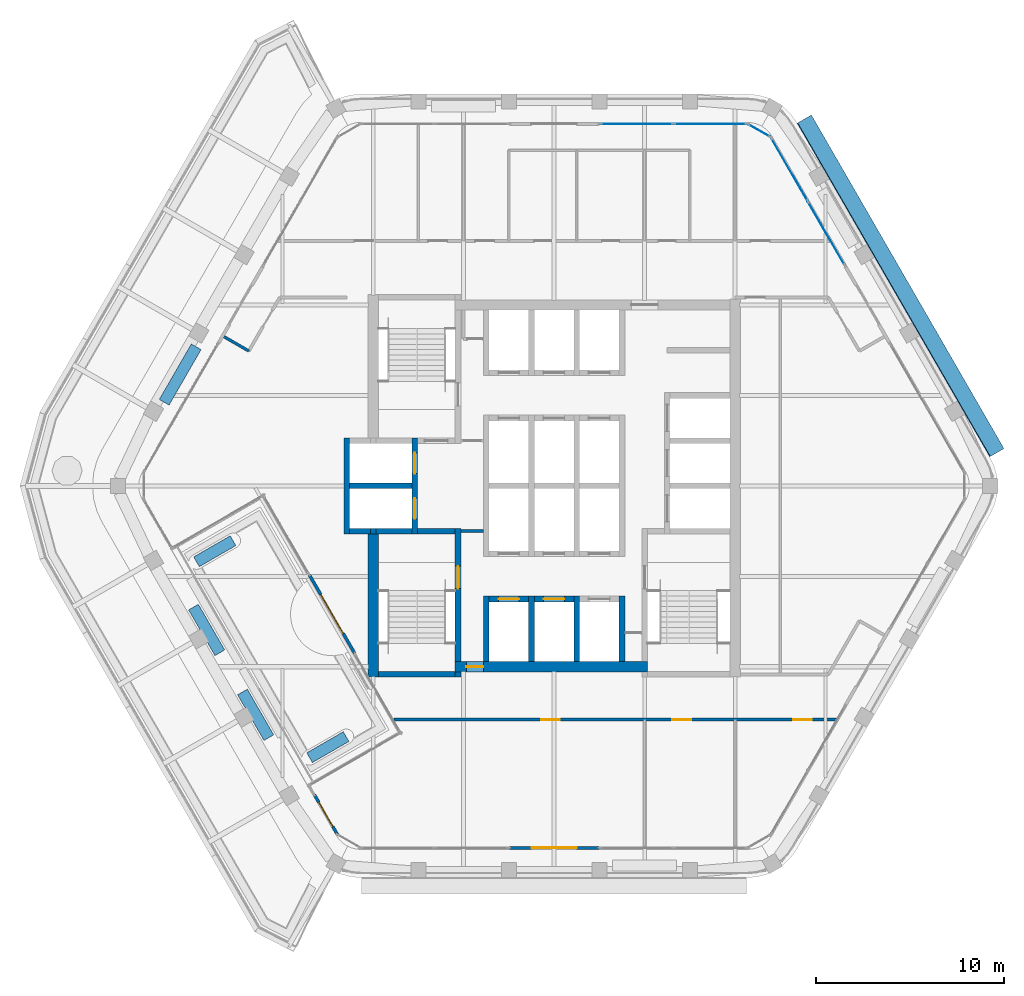
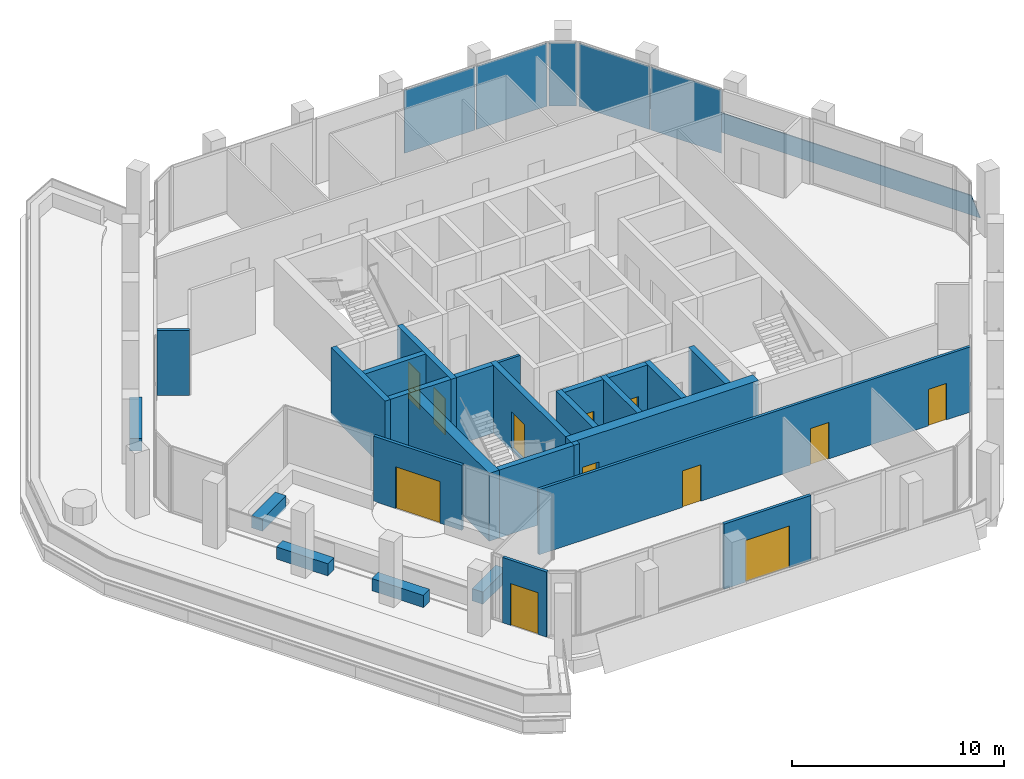
# One storey, part 9 of 15: 29 walls, 12 doors, 6 plates, 12 openings, 3 elements without a shape of their own.
"""IFC4 building model written with IfcOpenShell, lengths in metres."""

import ifcopenshell
import ifcopenshell.guid

model = None  # the IFC model being written
_history = None  # IfcOwnerHistory: only IFC2X3 demands one
_inside = {}  # id of a spatial element -> (the spatial element, [elements in it])
_under = {}  # id of a project, library or spatial element -> (it, [spatial elements below it])
_declared = {}  # id of a project -> (the project, [libraries it declares])
_typed = {}  # id of a type object -> (the type object, [elements of that type])
_made_of = {}  # id of a material, layer set ... -> (it, [elements and type objects made of it])


def new_model(schema):
    """Start an empty IFC model of exactly this schema.

    Asked for "IFC4X3", IfcOpenShell would pick the latest addendum, in which some entities
    have other attributes; the version numbers below select the first issue.
    IFC2X3 requires an IfcOwnerHistory on every rooted entity: one is made here for all.
    """
    global model, _history
    if schema == "IFC4X3":
        model = ifcopenshell.file(schema_version=(4, 3, 0, 0))
    else:
        model = ifcopenshell.file(schema=schema)
    _inside.clear()
    _under.clear()
    _declared.clear()
    _typed.clear()
    _made_of.clear()
    _history = None
    if model.schema == "IFC2X3":
        org = make("IfcOrganization", Name="unknown")
        user = make(
            "IfcPersonAndOrganization",
            ThePerson=make("IfcPerson", FamilyName="unknown"),
            TheOrganization=org,
        )
        app = make(
            "IfcApplication",
            ApplicationDeveloper=org,
            Version="unknown",
            ApplicationFullName="unknown",
            ApplicationIdentifier="unknown",
        )
        _history = make(
            "IfcOwnerHistory",
            OwningUser=user,
            OwningApplication=app,
            ChangeAction="ADDED",
            CreationDate=0,
        )
    return model


def make(cls, **values):
    """One entity of the class cls with the attributes given. An attribute that is None is left unset."""
    return model.create_entity(
        cls, **{name: value for name, value in values.items() if value is not None}
    )


def rooted(cls, **values):
    """An entity with a GlobalId (a new one), such as an element, a storey or a relation."""
    return make(cls, GlobalId=ifcopenshell.guid.new(), OwnerHistory=_history, **values)


def si_unit(unit_type, name, prefix=None):
    """IfcSIUnit, for example si_unit("LENGTHUNIT", "METRE", prefix="MILLI")."""
    return make("IfcSIUnit", UnitType=unit_type, Prefix=prefix, Name=name)


def assignment(units):
    """IfcUnitAssignment: the units of a project."""
    return None if units is None else make("IfcUnitAssignment", Units=units)


def point(xyz):
    """IfcCartesianPoint."""
    return None if xyz is None else make("IfcCartesianPoint", Coordinates=xyz)


def direction(xyz):
    """IfcDirection."""
    return None if xyz is None else make("IfcDirection", DirectionRatios=xyz)


def frame(location, z_axis=None, x_axis=None):
    """IfcAxis2Placement3D, a coordinate frame: its origin and axes. An axis left out is left unset."""
    return make(
        "IfcAxis2Placement3D",
        Location=point(location),
        Axis=direction(z_axis),
        RefDirection=direction(x_axis),
    )


def frame_2d(location, x_axis=None):
    """IfcAxis2Placement2D, a coordinate frame in the plane: its origin and x axis."""
    return make(
        "IfcAxis2Placement2D", Location=point(location), RefDirection=direction(x_axis)
    )


def origin():
    """The frame at (0, 0, 0) with its axes left unset."""
    return frame((0.0, 0.0, 0.0))


def origin_2d():
    """The frame at (0, 0) in the plane with its x axis left unset."""
    return frame_2d((0.0, 0.0))


def place(relative_to, where):
    """IfcLocalPlacement: puts the frame where relative to a parent placement (None: the world)."""
    return make(
        "IfcLocalPlacement", PlacementRelTo=relative_to, RelativePlacement=where
    )


def context(
    kind, dimensions, precision=None, world=None, true_north=None, identifier=None
):
    """IfcGeometricRepresentationContext, for example the 3D "Model" context."""
    return make(
        "IfcGeometricRepresentationContext",
        ContextIdentifier=identifier,
        ContextType=kind,
        CoordinateSpaceDimension=dimensions,
        Precision=precision,
        WorldCoordinateSystem=world,
        TrueNorth=true_north,
    )


def subcontext(parent, identifier, kind, view, scale=None):
    """IfcGeometricRepresentationSubContext, for example "Body" below "Model"."""
    return make(
        "IfcGeometricRepresentationSubContext",
        ContextIdentifier=identifier,
        ContextType=kind,
        ParentContext=parent,
        TargetScale=scale,
        TargetView=view,
    )


def project(units=None, contexts=None):
    """IfcProject with its units and contexts."""
    return rooted(
        "IfcProject",
        Name="project",
        RepresentationContexts=contexts,
        UnitsInContext=assignment(units),
    )


def spatial(cls, under=None, at=None, **own):
    """A site, building, storey or space (cls), placed at a placement, below another one or the project."""
    s = rooted(cls, ObjectPlacement=at, **own)
    if under is not None:
        _under.setdefault(under.id(), (under, []))[1].append(s)
    return s


def polyline(points):
    """IfcPolyline through the points."""
    return make("IfcPolyline", Points=[point(p) for p in points])


def profile(cls, at=None, kind="AREA", **sizes):
    """A parametric profile (cls). Its sizes go by their IFC names, for example OverallWidth=200.0."""
    return make(cls, ProfileType=kind, Position=at, **sizes)


def rectangle(**sizes):
    """IfcRectangleProfileDef."""
    return profile("IfcRectangleProfileDef", **sizes)


def outline(outer, holes=None, kind="AREA"):
    """IfcArbitraryClosedProfileDef: a profile drawn as a closed curve; with holes, ...WithVoids."""
    if holes is None:
        return make("IfcArbitraryClosedProfileDef", ProfileType=kind, OuterCurve=outer)
    return make(
        "IfcArbitraryProfileDefWithVoids",
        ProfileType=kind,
        OuterCurve=outer,
        InnerCurves=holes,
    )


def extrude(swept, where, along, depth):
    """IfcExtrudedAreaSolid: the profile swept, set in the frame where, extruded along a direction by depth."""
    return make(
        "IfcExtrudedAreaSolid",
        SweptArea=swept,
        Position=where,
        ExtrudedDirection=direction(along),
        Depth=depth,
    )


def shape(context_of_items, identifier, shape_type, items):
    """IfcShapeRepresentation: the items that make up one representation, for example the "Body"."""
    return make(
        "IfcShapeRepresentation",
        ContextOfItems=context_of_items,
        RepresentationIdentifier=identifier,
        RepresentationType=shape_type,
        Items=items,
    )


def material(Name=None, Category=None):
    """IfcMaterial."""
    return make("IfcMaterial", Name=Name, Category=Category)


def layer(
    of_material, thickness, ventilated=None, Name=None, Category=None, Priority=None
):
    """IfcMaterialLayer: one layer of a wall or slab, of a material (None: an air gap)."""
    return make(
        "IfcMaterialLayer",
        Material=of_material,
        LayerThickness=thickness,
        IsVentilated=ventilated,
        Name=Name,
        Category=Category,
        Priority=Priority,
    )


def layer_set(layers, Name=None):
    """IfcMaterialLayerSet."""
    return make("IfcMaterialLayerSet", MaterialLayers=layers, LayerSetName=Name)


def made_of(thing, what):
    """Note that an element or type object is made of a material, layer set ...; save() writes the relation."""
    if what is not None:
        _made_of.setdefault(what.id(), (what, []))[1].append(thing)
    return thing


def type_object(cls, material=None, **own):
    """A type object (cls), such as IfcWallType, which elements share."""
    return made_of(rooted(cls, **own), material)


def element(
    cls,
    number,
    at=None,
    inside=None,
    cuts=None,
    type_object=None,
    material=None,
    context=None,
    identifier="Body",
    shape_type=None,
    held_by="IfcProductDefinitionShape",
    body=None,
    shapes=None,
    **own,
):
    """One element of the class cls, such as IfcWall. Its Tag is "e" and its number.

    at: its placement. inside: the storey or other place that contains it. cuts: it is an
    opening in that element (IfcRelVoidsElement). A single representation is given by context,
    identifier, shape_type and body (its items); several are given by shapes. held_by: the class
    of the entity that holds the representations. save() writes the other relations.
    """
    e = rooted(cls, Tag="e%d" % number, ObjectPlacement=at, **own)
    if body is not None:
        shapes = [shape(context, identifier, shape_type, body)]
    if shapes is not None:
        e.Representation = make(held_by, Representations=shapes)
    if inside is not None:
        _inside.setdefault(inside.id(), (inside, []))[1].append(e)
    if cuts is not None:
        rooted(
            "IfcRelVoidsElement", RelatingBuildingElement=cuts, RelatedOpeningElement=e
        )
    if type_object is not None:
        _typed.setdefault(type_object.id(), (type_object, []))[1].append(e)
    return made_of(e, material)


def fill(opening, filler):
    """IfcRelFillsElement: the door or window that sits in an opening."""
    return rooted(
        "IfcRelFillsElement",
        RelatingOpeningElement=opening,
        RelatedBuildingElement=filler,
    )


def aggregate(whole, parts):
    """IfcRelAggregates: a whole, such as a stair, and the parts it consists of."""
    return rooted("IfcRelAggregates", RelatingObject=whole, RelatedObjects=parts)


def save(model, path):
    """Write the relations noted so far, then the file.

    IfcRelAggregates (storeys below a building ...), IfcRelContainedInSpatialStructure (elements
    in a storey), IfcRelDefinesByType, IfcRelAssociatesMaterial and IfcRelDeclares: one each for
    every whole, place, type object, material and project.
    """
    for whole, parts in _under.values():
        aggregate(whole, parts)
    for where, things in _inside.values():
        rooted(
            "IfcRelContainedInSpatialStructure",
            RelatedElements=things,
            RelatingStructure=where,
        )
    for kind, things in _typed.values():
        rooted("IfcRelDefinesByType", RelatedObjects=things, RelatingType=kind)
    for what, things in _made_of.values():
        rooted("IfcRelAssociatesMaterial", RelatedObjects=things, RelatingMaterial=what)
    for by, libraries in _declared.values():
        rooted("IfcRelDeclares", RelatingContext=by, RelatedDefinitions=libraries)
    model.write(path)


model = new_model("IFC4")

# Units and contexts
model_context = context("Model", 3, precision=1e-05, world=origin(), true_north=direction((0.0, 1.0)))
body_context = subcontext(model_context, "Body", "Model", "MODEL_VIEW")
ifc_project = project(units=[si_unit("LENGTHUNIT", "METRE"), si_unit("AREAUNIT", "SQUARE_METRE"), si_unit("VOLUMEUNIT", "CUBIC_METRE"), si_unit("PLANEANGLEUNIT", "RADIAN"), si_unit("MASSUNIT", "GRAM", prefix="KILO")], contexts=[model_context])

# Site, building, storey
site_placement = place(None, origin())
site = spatial("IfcSite", under=ifc_project, at=site_placement, CompositionType="ELEMENT")
building_placement = place(site_placement, origin())
building = spatial("IfcBuilding", under=site, at=building_placement, Name="Kolab Exchange Tower", CompositionType="ELEMENT")
storey_placement = place(building_placement, frame((0.0, 0.0, 238.39990234375)))
storey = spatial("IfcBuildingStorey", under=building, at=storey_placement, Name="L52", CompositionType="ELEMENT", Elevation=238.39990234375)

# Plate
ifc_material_1 = material(Name="Laminated glass, clear", Category="glass")
ifc_layer_1 = layer(ifc_material_1, 0.0400390625)
ifc_layer_set_1 = layer_set([ifc_layer_1], Name="Laminated glass, clear")
plate_type_1 = type_object("IfcPlateType", Name="OUTER SKIN LAMINATED GLASS SHEET 40", PredefinedType="SHEET", material=ifc_layer_set_1)
plate_1_placement = place(storey_placement, frame((13.6494140625, 19.67919921875, -0.68310546875), z_axis=(0.784886322863, 0.453152182031, 0.422618693508), x_axis=(0.499997422494, -0.866026891901, 1.981408e-06)))
element("IfcPlate", 1, at=plate_1_placement, inside=storey, type_object=plate_type_1, Name="Outer skin", PredefinedType="SHEET", context=body_context, shape_type="SweptSolid", body=[
    extrude(outline(polyline([(0.0, 0.0), (20.435802623779963, 0.0), (20.435856947346753, -1.9860898935068516), (-6.774611643567295e-05, -1.9861792489881693), (0.0, 0.0)])), origin(), (0.0, 0.0, -1.0), 0.0400390625),
])

# Curtain wall, plates
ifc_material_2 = material(Name="Aluminium EN AW-6063 T6", Category="aluminium")
curtain_wall_type = type_object("IfcCurtainWallType", Name="UNITISED HIGH ZONE CURTAIN WALL", PredefinedType="NOTDEFINED", material=ifc_material_2)
curtain_wall_1_placement = place(storey_placement, origin())
curtain_wall_1 = element("IfcCurtainWall", 2, at=curtain_wall_1_placement, inside=storey, type_object=curtain_wall_type, Name="cw/L52/F1-2", PredefinedType="NOTDEFINED")
ifc_material_3 = material(Name="Clear insulated glazing unit", Category="glass")
ifc_layer_2 = layer(ifc_material_3, 0.030029296875)
ifc_layer_set_2 = layer_set([ifc_layer_2], Name="Clear insulated glazing unit")
plate_type_2 = type_object("IfcPlateType", Name="UNITISED HIGH ZONE GLASS PANEL 30", PredefinedType="CURTAIN_PANEL", material=ifc_layer_set_2)
plate_2_placement = place(storey_placement, frame((4.382080078125, 19.20458984375, 0.06005859375), z_axis=(0.0, 0.0, 1.0), x_axis=(1.0, 0.0, 0.0)))
plate_2 = element("IfcPlate", 3, at=plate_2_placement, type_object=plate_type_2, Name="CW4 panel 1.1", PredefinedType="CURTAIN_PANEL", context=body_context, shape_type="SweptSolid", body=[
    extrude(rectangle(XDim=3.843994140625, YDim=0.030029296875, at=origin_2d()), origin(), (0.0, 0.0, 1.0), 3.6298828125),
])
plate_3_placement = place(storey_placement, frame((8.285888671875, 19.20458984375, 0.06005859375), z_axis=(0.0, 0.0, 1.0), x_axis=(1.0, 0.0, 0.0)))
plate_3 = element("IfcPlate", 4, at=plate_3_placement, type_object=plate_type_2, Name="CW4 panel 2.1", PredefinedType="CURTAIN_PANEL", context=body_context, shape_type="SweptSolid", body=[
    extrude(rectangle(XDim=3.843994140625, YDim=0.030029296875, at=origin_2d()), origin(), (0.0, 0.0, 1.0), 3.6298828125),
])
aggregate(curtain_wall_1, [plate_2, plate_3])

curtain_wall_2_placement = place(storey_placement, origin())
curtain_wall_2 = element("IfcCurtainWall", 5, at=curtain_wall_2_placement, inside=storey, type_object=curtain_wall_type, Name="cw/L52/F2-1", PredefinedType="NOTDEFINED")
plate_4_placement = place(storey_placement, frame((12.48876953125, 16.778076171875, 0.06005859375), z_axis=(0.0, 0.0, 1.0), x_axis=(0.500000031681, -0.866025385493, 0.0)))
plate_4 = element("IfcPlate", 6, at=plate_4_placement, type_object=plate_type_2, Name="CW4 panel 1.1", PredefinedType="CURTAIN_PANEL", context=body_context, shape_type="SweptSolid", body=[
    extrude(rectangle(XDim=3.843994140625, YDim=0.030029296875, at=origin_2d()), origin(), (0.0, 0.0, 1.0), 3.6298828125),
])
plate_5_placement = place(storey_placement, frame((14.440673828125, 13.397216796875, 0.06005859375), z_axis=(0.0, 0.0, 1.0), x_axis=(0.500000031681, -0.866025385493, 0.0)))
plate_5 = element("IfcPlate", 7, at=plate_5_placement, type_object=plate_type_2, Name="CW4 panel 2.1", PredefinedType="CURTAIN_PANEL", context=body_context, shape_type="SweptSolid", body=[
    extrude(rectangle(XDim=3.843994140625, YDim=0.030029296875, at=origin_2d()), origin(), (0.0, 0.0, 1.0), 3.6298828125),
])
aggregate(curtain_wall_2, [plate_4, plate_5])

# Curtain wall, plate
curtain_wall_3_placement = place(storey_placement, origin())
curtain_wall_3 = element("IfcCurtainWall", 8, at=curtain_wall_3_placement, inside=storey, type_object=curtain_wall_type, Name="cw/L52/F1F2-corner", PredefinedType="NOTDEFINED")
plate_6_placement = place(storey_placement, frame((10.8828125, 18.849609375, 0.06005859375), z_axis=(0.0, 0.0, 1.0), x_axis=(0.866025390869, -0.50000002237, 0.0)))
plate_6 = element("IfcPlate", 9, at=plate_6_placement, type_object=plate_type_2, Name="CW4 panel 1.1", PredefinedType="CURTAIN_PANEL", context=body_context, shape_type="SweptSolid", body=[
    extrude(rectangle(XDim=1.300048828125, YDim=0.030029296875, at=origin_2d()), origin(), (0.0, 0.0, 1.0), 3.6298828125),
])
aggregate(curtain_wall_3, [plate_6])

# Wall, opening, door
ifc_material_4 = material(Name="Concrete C50/60", Category="concrete")
ifc_layer_3 = layer(ifc_material_4, 0.550048828125)
ifc_layer_set_3 = layer_set([ifc_layer_3], Name="Concrete C50/60")
wall_type_1 = type_object("IfcWallType", Name="CORE WALL 550 C50/60", PredefinedType="SHEAR", material=ifc_layer_set_3)
wall_1_placement = place(storey_placement, frame((-5.25, -9.60009765625, -0.14990234375), z_axis=(0.0, 0.0, 1.0), x_axis=(1.0, 0.0, 0.0)))
wall_1 = element("IfcWall", 10, at=wall_1_placement, inside=storey, type_object=wall_type_1, Name="wall/L52/core/002", PredefinedType="SHEAR", context=body_context, shape_type="SweptSolid", body=[
    extrude(rectangle(XDim=10.199951171875, YDim=0.550048828125, at=frame_2d((5.10009765625, 0.0))), origin(), (0.0, 0.0, 1.0), 3.89990234375),
])
opening_1_placement = place(wall_1_placement, frame((0.60009765625, 0.0, 0.14990234375)))
opening_1 = element("IfcOpeningElement", 11, at=opening_1_placement, cuts=wall_1, Name="Opening D6-297", PredefinedType="OPENING", context=body_context, shape_type="SweptSolid", body=[
    extrude(rectangle(XDim=0.89990234375, YDim=2.10009765625, at=frame_2d((0.449951171875, 1.050048828125))), frame((0.0, 0.28515625, 0.0), z_axis=(0.0, -1.0, 0.0), x_axis=(1.0, 0.0, 0.0)), (0.0, 0.0, 1.0), 0.570068359375),
])
ifc_material_5 = material(Name="Steel S235", Category="steel")
door_type_1 = type_object("IfcDoorType", Name="CORE DOOR 900 EI 120", OperationType="SINGLE_SWING_LEFT", PredefinedType="DOOR", material=ifc_material_5)
door_1_placement = place(opening_1_placement, origin())
door_1 = element("IfcDoor", 12, at=door_1_placement, inside=storey, type_object=door_type_1, Name="Core lobby door", OperationType="SINGLE_SWING_RIGHT", OverallHeight=2.10009765625, OverallWidth=0.89990234375, PredefinedType="DOOR", context=body_context, shape_type="SweptSolid", body=[
    extrude(rectangle(XDim=0.89990234375, YDim=2.10009765625, at=frame_2d((0.449951171875, 1.050048828125))), frame((0.0, 0.02490234375, 0.0), z_axis=(0.0, -1.0, 0.0), x_axis=(1.0, 0.0, 0.0)), (0.0, 0.0, 1.0), 0.050048828125),
])
fill(opening_1, door_1)

# Wall
wall_2_placement = place(storey_placement, frame((-9.60009765625, -10.14990234375, -0.14990234375), z_axis=(0.0, 0.0, 1.0), x_axis=(0.0, 1.0, 0.0)))
element("IfcWall", 13, at=wall_2_placement, inside=storey, type_object=wall_type_1, Name="wall/L52/core/034", PredefinedType="SHEAR", context=body_context, shape_type="SweptSolid", body=[
    extrude(rectangle(XDim=7.599853515625, YDim=0.550048828125, at=frame_2d((3.7998046875, 0.0))), origin(), (0.0, 0.0, 1.0), 3.89990234375),
])

# Wall, opening, door
ifc_layer_4 = layer(ifc_material_2, 0.159912109375)
ifc_layer_set_4 = layer_set([ifc_layer_4], Name="Aluminium EN AW-6063 T6")
wall_type_2 = type_object("IfcWallType", Name="DOOR SURROUND WALL 160 ALUMINIUM FRAMED", PredefinedType="PARTITIONING", material=ifc_layer_set_4)
wall_3_placement = place(storey_placement, frame((2.3701171875, -19.20458984375, 0.0), z_axis=(0.0, 0.0, 1.0), x_axis=(-1.0, 0.0, 0.0)))
wall_3 = element("IfcWall", 14, at=wall_3_placement, inside=storey, type_object=wall_type_2, Name="Door surround wall", PredefinedType="PARTITIONING", context=body_context, shape_type="SweptSolid", body=[
    extrude(rectangle(XDim=4.740234375, YDim=0.159912109375, at=frame_2d((2.3701171875, 0.0))), origin(), (0.0, 0.0, 1.0), 3.75),
])
opening_2_placement = place(wall_3_placement, frame((1.169921875, 0.0, 0.0)))
opening_2 = element("IfcOpeningElement", 15, at=opening_2_placement, cuts=wall_3, Name="Opening GD1-092", PredefinedType="OPENING", context=body_context, shape_type="SweptSolid", body=[
    extrude(rectangle(XDim=2.39990234375, YDim=2.39990234375, at=frame_2d((1.199951171875, 1.199951171875))), frame((0.0, 0.08984375, 0.0), z_axis=(0.0, -1.0, 0.0), x_axis=(1.0, 0.0, 0.0)), (0.0, 0.0, 1.0), 0.179931640625),
])
door_type_2 = type_object("IfcDoorType", Name="LOGGIA SLIDING GLASS DOOR 2400 X 2400", OperationType="DOUBLE_DOOR_SINGLE_SWING", PredefinedType="DOOR", material=ifc_material_2)
door_2_placement = place(opening_2_placement, origin())
door_2 = element("IfcDoor", 16, at=door_2_placement, inside=storey, type_object=door_type_2, Name="Loggia door", OperationType="DOUBLE_DOOR_SLIDING", OverallHeight=2.39990234375, OverallWidth=2.39990234375, PredefinedType="DOOR", context=body_context, shape_type="SweptSolid", body=[
    extrude(rectangle(XDim=2.39990234375, YDim=2.39990234375, at=frame_2d((1.199951171875, 1.199951171875))), frame((0.0, 0.02490234375, 0.0), z_axis=(0.0, -1.0, 0.0), x_axis=(1.0, 0.0, 0.0)), (0.0, 0.0, 1.0), 0.050048828125),
])
fill(opening_2, door_2)

wall_4_placement = place(storey_placement, frame((-11.5126953125, -18.46875, 0.0), z_axis=(0.0, 0.0, 1.0), x_axis=(-0.499957262057, 0.866050077142, 0.0)))
wall_4 = element("IfcWall", 17, at=wall_4_placement, inside=storey, type_object=wall_type_2, Name="Door surround wall", PredefinedType="PARTITIONING", context=body_context, shape_type="SweptSolid", body=[
    extrude(rectangle(XDim=2.400146484375, YDim=0.159912109375, at=frame_2d((1.2001953125, 0.0))), origin(), (0.0, 0.0, 1.0), 3.75),
])
opening_3_placement = place(wall_4_placement, frame((0.449951171875, 0.0, 0.0)))
opening_3 = element("IfcOpeningElement", 18, at=opening_3_placement, cuts=wall_4, Name="Opening GD2-011", PredefinedType="OPENING", context=body_context, shape_type="SweptSolid", body=[
    extrude(rectangle(XDim=1.5, YDim=2.39990234375, at=frame_2d((0.75, 1.199951171875))), frame((0.0, 0.08984375, 0.0), z_axis=(0.0, -1.0, 0.0), x_axis=(1.0, 0.0, 0.0)), (0.0, 0.0, 1.0), 0.179931640625),
])
door_type_3 = type_object("IfcDoorType", Name="LOGGIA SLIDING GLASS DOOR 1500 X 2400", OperationType="SLIDING_TO_LEFT", PredefinedType="DOOR", material=ifc_material_2)
door_3_placement = place(opening_3_placement, origin())
door_3 = element("IfcDoor", 19, at=door_3_placement, inside=storey, type_object=door_type_3, Name="Loggia door", OperationType="DOUBLE_DOOR_SLIDING", OverallHeight=2.39990234375, OverallWidth=1.5, PredefinedType="DOOR", context=body_context, shape_type="SweptSolid", body=[
    extrude(rectangle(XDim=1.5, YDim=2.39990234375, at=frame_2d((0.75, 1.199951171875))), frame((0.0, 0.02490234375, 0.0), z_axis=(0.0, -1.0, 0.0), x_axis=(1.0, 0.0, 0.0)), (0.0, 0.0, 1.0), 0.050048828125),
])
fill(opening_3, door_3)

wall_5_placement = place(storey_placement, frame((-10.58349609375, -8.8779296875, 0.0), z_axis=(0.0, 0.0, 1.0), x_axis=(-0.500011970786, 0.866018492338, 0.0)))
wall_5 = element("IfcWall", 20, at=wall_5_placement, inside=storey, type_object=wall_type_2, Name="Door surround wall", PredefinedType="PARTITIONING", context=body_context, shape_type="SweptSolid", body=[
    extrude(rectangle(XDim=4.79345703125, YDim=0.159912109375, at=frame_2d((2.396728515625, 0.0))), origin(), (0.0, 0.0, 1.0), 3.75),
])
opening_4_placement = place(wall_5_placement, frame((1.19677734375, 0.0, 0.0)))
opening_4 = element("IfcOpeningElement", 21, at=opening_4_placement, cuts=wall_5, Name="Opening GD1-104", PredefinedType="OPENING", context=body_context, shape_type="SweptSolid", body=[
    extrude(rectangle(XDim=2.39990234375, YDim=2.39990234375, at=frame_2d((1.199951171875, 1.199951171875))), frame((0.0, 0.08984375, 0.0), z_axis=(0.0, -1.0, 0.0), x_axis=(1.0, 0.0, 0.0)), (0.0, 0.0, 1.0), 0.179931640625),
])
door_4_placement = place(opening_4_placement, origin())
door_4 = element("IfcDoor", 22, at=door_4_placement, inside=storey, type_object=door_type_2, Name="Loggia door", OperationType="DOUBLE_DOOR_SLIDING", OverallHeight=2.39990234375, OverallWidth=2.39990234375, PredefinedType="DOOR", context=body_context, shape_type="SweptSolid", body=[
    extrude(rectangle(XDim=2.39990234375, YDim=2.39990234375, at=frame_2d((1.199951171875, 1.199951171875))), frame((0.0, 0.02490234375, 0.0), z_axis=(0.0, -1.0, 0.0), x_axis=(1.0, 0.0, 0.0)), (0.0, 0.0, 1.0), 0.050048828125),
])
fill(opening_4, door_4)

ifc_layer_5 = layer(ifc_material_4, 0.300048828125)
ifc_layer_set_5 = layer_set([ifc_layer_5], Name="Concrete C50/60")
wall_type_3 = type_object("IfcWallType", Name="LIFT SHAFT WALL 300 C50/60", PredefinedType="STANDARD", material=ifc_layer_set_5)
wall_6_placement = place(storey_placement, frame((-3.449951171875, -6.0, -0.14990234375), z_axis=(0.0, 0.0, 1.0), x_axis=(1.0, 0.0, 0.0)))
wall_6 = element("IfcWall", 23, at=wall_6_placement, inside=storey, type_object=wall_type_3, Name="wall/L52/core/003", PredefinedType="STANDARD", context=body_context, shape_type="SweptSolid", body=[
    extrude(rectangle(XDim=2.099853515625, YDim=0.300048828125, at=frame_2d((1.0498046875, 0.0))), origin(), (0.0, 0.0, 1.0), 3.89990234375),
])
opening_5_placement = place(wall_6_placement, frame((0.5, 0.0, 0.14990234375)))
opening_5 = element("IfcOpeningElement", 24, at=opening_5_placement, cuts=wall_6, Name="Opening LD1-110", PredefinedType="OPENING", context=body_context, shape_type="SweptSolid", body=[
    extrude(rectangle(XDim=1.10009765625, YDim=2.10009765625, at=frame_2d((0.550048828125, 1.050048828125))), frame((0.0, 0.16015625, 0.0), z_axis=(0.0, -1.0, 0.0), x_axis=(1.0, 0.0, 0.0)), (0.0, 0.0, 1.0), 0.320068359375),
])
ifc_material_6 = material(Name="Stainless steel 316", Category="steel")
door_type_4 = type_object("IfcDoorType", Name="LANDING DOOR 1100 PASSENGER", OperationType="DOUBLE_DOOR_SLIDING", PredefinedType="DOOR", material=ifc_material_6)
door_5_placement = place(opening_5_placement, origin())
door_5 = element("IfcDoor", 25, at=door_5_placement, inside=storey, type_object=door_type_4, Name="Landing door HR10", OperationType="DOUBLE_DOOR_SLIDING", OverallHeight=2.10009765625, OverallWidth=1.10009765625, PredefinedType="DOOR", context=body_context, shape_type="SweptSolid", body=[
    extrude(rectangle(XDim=1.10009765625, YDim=2.10009765625, at=frame_2d((0.550048828125, 1.050048828125))), frame((0.0, 0.02490234375, 0.0), z_axis=(0.0, -1.0, 0.0), x_axis=(1.0, 0.0, 0.0)), (0.0, 0.0, 1.0), 0.050048828125),
])
fill(opening_5, door_5)

wall_7_placement = place(storey_placement, frame((-1.050048828125, -6.0, -0.14990234375), z_axis=(0.0, 0.0, 1.0), x_axis=(1.0, 0.0, 0.0)))
wall_7 = element("IfcWall", 26, at=wall_7_placement, inside=storey, type_object=wall_type_3, Name="wall/L52/core/004", PredefinedType="STANDARD", context=body_context, shape_type="SweptSolid", body=[
    extrude(rectangle(XDim=2.10009765625, YDim=0.300048828125, at=frame_2d((1.050048828125, 0.0))), origin(), (0.0, 0.0, 1.0), 3.89990234375),
])
opening_6_placement = place(wall_7_placement, frame((0.5, 0.0, 0.14990234375)))
opening_6 = element("IfcOpeningElement", 27, at=opening_6_placement, cuts=wall_7, Name="Opening LD1-111", PredefinedType="OPENING", context=body_context, shape_type="SweptSolid", body=[
    extrude(rectangle(XDim=1.10009765625, YDim=2.10009765625, at=frame_2d((0.550048828125, 1.050048828125))), frame((0.0, 0.16015625, 0.0), z_axis=(0.0, -1.0, 0.0), x_axis=(1.0, 0.0, 0.0)), (0.0, 0.0, 1.0), 0.320068359375),
])
door_6_placement = place(opening_6_placement, origin())
door_6 = element("IfcDoor", 28, at=door_6_placement, inside=storey, type_object=door_type_4, Name="Landing door HR11", OperationType="DOUBLE_DOOR_SLIDING", OverallHeight=2.10009765625, OverallWidth=1.10009765625, PredefinedType="DOOR", context=body_context, shape_type="SweptSolid", body=[
    extrude(rectangle(XDim=1.10009765625, YDim=2.10009765625, at=frame_2d((0.550048828125, 1.050048828125))), frame((0.0, 0.02490234375, 0.0), z_axis=(0.0, -1.0, 0.0), x_axis=(1.0, 0.0, 0.0)), (0.0, 0.0, 1.0), 0.050048828125),
])
fill(opening_6, door_6)

# Walls
wall_8_placement = place(storey_placement, frame((-10.85009765625, -2.39990234375, -0.14990234375), z_axis=(0.0, 0.0, 1.0), x_axis=(1.0, 0.0, 0.0)))
element("IfcWall", 29, at=wall_8_placement, inside=storey, type_object=wall_type_3, Name="wall/L52/core/009", PredefinedType="STANDARD", context=body_context, shape_type="SweptSolid", body=[
    extrude(rectangle(XDim=1.10009765625, YDim=0.300048828125, at=frame_2d((0.550048828125, 0.0))), origin(), (0.0, 0.0, 1.0), 3.89990234375),
])
wall_9_placement = place(storey_placement, frame((-10.85009765625, 0.0, -0.14990234375), z_axis=(0.0, 0.0, 1.0), x_axis=(1.0, 0.0, 0.0)))
element("IfcWall", 30, at=wall_9_placement, inside=storey, type_object=wall_type_3, Name="wall/L52/core/014", PredefinedType="STANDARD", context=body_context, shape_type="SweptSolid", body=[
    extrude(rectangle(XDim=3.300048828125, YDim=0.300048828125, at=frame_2d((1.64990234375, 0.0))), origin(), (0.0, 0.0, 1.0), 3.89990234375),
])
wall_10_placement = place(storey_placement, frame((-11.0, -2.550048828125, -0.14990234375), z_axis=(0.0, 0.0, 1.0), x_axis=(0.0, 1.0, 0.0)))
element("IfcWall", 31, at=wall_10_placement, inside=storey, type_object=wall_type_3, Name="wall/L52/core/033", PredefinedType="STANDARD", context=body_context, shape_type="SweptSolid", body=[
    extrude(rectangle(XDim=5.10009765625, YDim=0.300048828125, at=frame_2d((2.550048828125, 0.0))), origin(), (0.0, 0.0, 1.0), 3.89990234375),
])

# Wall, openings, doors
wall_11_placement = place(storey_placement, frame((-7.39990234375, -2.550048828125, -0.14990234375), z_axis=(0.0, 0.0, 1.0), x_axis=(0.0, 1.0, 0.0)))
wall_11 = element("IfcWall", 32, at=wall_11_placement, inside=storey, type_object=wall_type_3, Name="wall/L52/core/038", PredefinedType="STANDARD", context=body_context, shape_type="SweptSolid", body=[
    extrude(rectangle(XDim=5.10009765625, YDim=0.300048828125, at=frame_2d((2.550048828125, 0.0))), origin(), (0.0, 0.0, 1.0), 3.89990234375),
])
opening_7_placement = place(wall_11_placement, frame((0.800048828125, 0.0, 0.14990234375)))
opening_7 = element("IfcOpeningElement", 33, at=opening_7_placement, cuts=wall_11, Name="Opening LD2-025", PredefinedType="OPENING", context=body_context, shape_type="SweptSolid", body=[
    extrude(rectangle(XDim=1.10009765625, YDim=2.10009765625, at=frame_2d((0.550048828125, 1.050048828125))), frame((0.0, 0.16015625, 0.0), z_axis=(0.0, -1.0, 0.0), x_axis=(1.0, 0.0, 0.0)), (0.0, 0.0, 1.0), 0.320068359375),
])
opening_8_placement = place(wall_11_placement, frame((3.199951171875, 0.0, 0.14990234375)))
opening_8 = element("IfcOpeningElement", 34, at=opening_8_placement, cuts=wall_11, Name="Opening LD2-026", PredefinedType="OPENING", context=body_context, shape_type="SweptSolid", body=[
    extrude(rectangle(XDim=1.10009765625, YDim=2.10009765625, at=frame_2d((0.550048828125, 1.050048828125))), frame((0.0, 0.16015625, 0.0), z_axis=(0.0, -1.0, 0.0), x_axis=(1.0, 0.0, 0.0)), (0.0, 0.0, 1.0), 0.320068359375),
])
door_type_5 = type_object("IfcDoorType", Name="LANDING DOOR 1100 FIREFIGHTING", OperationType="DOUBLE_DOOR_SLIDING", PredefinedType="DOOR", material=ifc_material_6)
door_7_placement = place(opening_7_placement, origin())
door_7 = element("IfcDoor", 35, at=door_7_placement, inside=storey, type_object=door_type_5, Name="Landing door FF1", OperationType="DOUBLE_DOOR_SLIDING", OverallHeight=2.10009765625, OverallWidth=1.10009765625, PredefinedType="DOOR", context=body_context, shape_type="SweptSolid", body=[
    extrude(rectangle(XDim=1.10009765625, YDim=2.10009765625, at=frame_2d((0.550048828125, 1.050048828125))), frame((0.0, 0.02490234375, 0.0), z_axis=(0.0, -1.0, 0.0), x_axis=(1.0, 0.0, 0.0)), (0.0, 0.0, 1.0), 0.050048828125),
])
fill(opening_7, door_7)
door_8_placement = place(opening_8_placement, origin())
door_8 = element("IfcDoor", 36, at=door_8_placement, inside=storey, type_object=door_type_5, Name="Landing door FF2", OperationType="DOUBLE_DOOR_SLIDING", OverallHeight=2.10009765625, OverallWidth=1.10009765625, PredefinedType="DOOR", context=body_context, shape_type="SweptSolid", body=[
    extrude(rectangle(XDim=1.10009765625, YDim=2.10009765625, at=frame_2d((0.550048828125, 1.050048828125))), frame((0.0, 0.02490234375, 0.0), z_axis=(0.0, -1.0, 0.0), x_axis=(1.0, 0.0, 0.0)), (0.0, 0.0, 1.0), 0.050048828125),
])
fill(opening_8, door_8)

# Walls
for number, where, z_axis, x_axis, name in (
    (37, (-3.60009765625, -9.324951171875, -0.14990234375), (0.0, 0.0, 1.0), (0.0, 1.0, 0.0), "wall/L52/core/043"),
    (38, (-1.199951171875, -9.324951171875, -0.14990234375), (0.0, 0.0, 1.0), (0.0, 1.0, 0.0), "wall/L52/core/046"),
    (39, (1.199951171875, -9.324951171875, -0.14990234375), (0.0, 0.0, 1.0), (0.0, 1.0, 0.0), "wall/L52/core/049"),
    (40, (3.60009765625, -9.324951171875, -0.14990234375), (0.0, 0.0, 1.0), (0.0, 1.0, 0.0), "wall/L52/core/052"),
):
    element("IfcWall", number, at=place(storey_placement, frame(where, z_axis=z_axis, x_axis=x_axis)), inside=storey, type_object=wall_type_3, Name=name, PredefinedType="STANDARD", context=body_context, shape_type="SweptSolid", body=[
        extrude(rectangle(XDim=3.474853515625, YDim=0.300048828125, at=frame_2d((1.7373046875, 0.0))), origin(), (0.0, 0.0, 1.0), 3.89990234375),
    ])
ifc_material_7 = material(Name="Gypsum board", Category="gypsum")
ifc_layer_6 = layer(ifc_material_7, 0.14990234375)
ifc_layer_set_6 = layer_set([ifc_layer_6], Name="Gypsum board")
wall_type_4 = type_object("IfcWallType", Name="PARTITION 150 FIRE-RATED", PredefinedType="PARTITIONING", material=ifc_layer_set_6)
wall_12_placement = place(storey_placement, frame((-17.512451171875, 7.9169921875, 0.0), z_axis=(0.0, 0.0, 1.0), x_axis=(0.865960906633, -0.500111695708, 0.0)))
element("IfcWall", 41, at=wall_12_placement, inside=storey, type_object=wall_type_4, Name="Partition 014", PredefinedType="PARTITIONING", context=body_context, shape_type="SweptSolid", body=[
    extrude(rectangle(XDim=1.520263671875, YDim=0.14990234375, at=frame_2d((0.76025390625, 0.0))), origin(), (0.0, 0.0, 1.0), 3.75),
])

# Wall, openings, doors
wall_13_placement = place(storey_placement, frame((-8.50390625, -12.39990234375, 0.0), z_axis=(0.0, 0.0, 1.0), x_axis=(1.0, 0.0, 0.0)))
wall_13 = element("IfcWall", 42, at=wall_13_placement, inside=storey, type_object=wall_type_4, Name="Partition 017", PredefinedType="PARTITIONING", context=body_context, shape_type="SweptSolid", body=[
    extrude(rectangle(XDim=23.47412109375, YDim=0.14990234375, at=frame_2d((11.737060546875, 0.0))), origin(), (0.0, 0.0, 1.0), 3.75),
])
opening_9_placement = place(wall_13_placement, frame((7.81396484375, 0.0, 0.0)))
opening_9 = element("IfcOpeningElement", 43, at=opening_9_placement, cuts=wall_13, Name="Opening D1-665", PredefinedType="OPENING", context=body_context, shape_type="SweptSolid", body=[
    extrude(rectangle(XDim=1.0, YDim=2.10009765625, at=frame_2d((0.5, 1.050048828125))), frame((0.0, 0.0849609375, 0.0), z_axis=(0.0, -1.0, 0.0), x_axis=(1.0, 0.0, 0.0)), (0.0, 0.0, 1.0), 0.169921875),
])
opening_10_placement = place(wall_13_placement, frame((14.768798828125, 0.0, 0.0)))
opening_10 = element("IfcOpeningElement", 44, at=opening_10_placement, cuts=wall_13, Name="Opening D1-666", PredefinedType="OPENING", context=body_context, shape_type="SweptSolid", body=[
    extrude(rectangle(XDim=1.0, YDim=2.10009765625, at=frame_2d((0.5, 1.050048828125))), frame((0.0, 0.0849609375, 0.0), z_axis=(0.0, -1.0, 0.0), x_axis=(1.0, 0.0, 0.0)), (0.0, 0.0, 1.0), 0.169921875),
])
opening_11_placement = place(wall_13_placement, frame((21.18115234375, 0.0, 0.0)))
opening_11 = element("IfcOpeningElement", 45, at=opening_11_placement, cuts=wall_13, Name="Opening D1-667", PredefinedType="OPENING", context=body_context, shape_type="SweptSolid", body=[
    extrude(rectangle(XDim=1.0, YDim=2.10009765625, at=frame_2d((0.5, 1.050048828125))), frame((0.0, 0.0849609375, 0.0), z_axis=(0.0, -1.0, 0.0), x_axis=(1.0, 0.0, 0.0)), (0.0, 0.0, 1.0), 0.169921875),
])
door_type_6 = type_object("IfcDoorType", Name="FLUSH DOOR 1000 FD60", OperationType="SINGLE_SWING_LEFT", PredefinedType="DOOR", material=ifc_material_5)
door_9_placement = place(opening_9_placement, frame((1.0, 0.0, 0.0), z_axis=(0.0, 0.0, 1.0), x_axis=(-1.0, 0.0, 0.0)))
door_9 = element("IfcDoor", 46, at=door_9_placement, inside=storey, type_object=door_type_6, Name="Door L52-036", OperationType="SINGLE_SWING_RIGHT", OverallHeight=2.10009765625, OverallWidth=1.0, PredefinedType="DOOR", context=body_context, shape_type="SweptSolid", body=[
    extrude(rectangle(XDim=1.0, YDim=2.10009765625, at=frame_2d((0.5, 1.050048828125))), frame((0.0, 0.02490234375, 0.0), z_axis=(0.0, -1.0, 0.0), x_axis=(1.0, 0.0, 0.0)), (0.0, 0.0, 1.0), 0.050048828125),
])
fill(opening_9, door_9)
door_10_placement = place(opening_10_placement, frame((1.0, 0.0, 0.0), z_axis=(0.0, 0.0, 1.0), x_axis=(-1.0, 0.0, 0.0)))
door_10 = element("IfcDoor", 47, at=door_10_placement, inside=storey, type_object=door_type_6, Name="Door L52-037", OperationType="SINGLE_SWING_LEFT", OverallHeight=2.10009765625, OverallWidth=1.0, PredefinedType="DOOR", context=body_context, shape_type="SweptSolid", body=[
    extrude(rectangle(XDim=1.0, YDim=2.10009765625, at=frame_2d((0.5, 1.050048828125))), frame((0.0, 0.02490234375, 0.0), z_axis=(0.0, -1.0, 0.0), x_axis=(1.0, 0.0, 0.0)), (0.0, 0.0, 1.0), 0.050048828125),
])
fill(opening_10, door_10)
door_11_placement = place(opening_11_placement, frame((1.0, 0.0, 0.0), z_axis=(0.0, 0.0, 1.0), x_axis=(-1.0, 0.0, 0.0)))
door_11 = element("IfcDoor", 48, at=door_11_placement, inside=storey, type_object=door_type_6, Name="Door L52-038", OperationType="SINGLE_SWING_RIGHT", OverallHeight=2.10009765625, OverallWidth=1.0, PredefinedType="DOOR", context=body_context, shape_type="SweptSolid", body=[
    extrude(rectangle(XDim=1.0, YDim=2.10009765625, at=frame_2d((0.5, 1.050048828125))), frame((0.0, 0.02490234375, 0.0), z_axis=(0.0, -1.0, 0.0), x_axis=(1.0, 0.0, 0.0)), (0.0, 0.0, 1.0), 0.050048828125),
])
fill(opening_11, door_11)

# Walls
wall_14_placement = place(storey_placement, frame((-4.949951171875, -2.39990234375, 0.0), z_axis=(0.0, 0.0, 1.0), x_axis=(1.0, 0.0, 0.0)))
element("IfcWall", 49, at=wall_14_placement, inside=storey, type_object=wall_type_4, Name="Fire partition", PredefinedType="PARTITIONING", context=body_context, shape_type="SweptSolid", body=[
    extrude(rectangle(XDim=1.199951171875, YDim=0.14990234375, at=frame_2d((0.60009765625, 0.0))), origin(), (0.0, 0.0, 1.0), 3.75),
])
ifc_material_8 = material(Name="Granite facing", Category="masonry")
ifc_layer_7 = layer(ifc_material_8, 0.0400390625)
ifc_material_9 = material(Name="Concrete C40/50 precast", Category="concrete")
ifc_layer_8 = layer(ifc_material_9, 0.56005859375)
ifc_layer_set_7 = layer_set([ifc_layer_7, ifc_layer_8], Name="Concrete C40/50 precast")
wall_type_5 = type_object("IfcWallType", Name="PLANTER BOX 600 X 700 SOIL DEPTH 550", PredefinedType="USERDEFINED", material=ifc_layer_set_7)
wall_15_placement = place(storey_placement, frame((-20.68701171875, 4.438232421875, 0.0), z_axis=(0.0, 0.0, 1.0), x_axis=(0.500008388397, 0.866020560687, 0.0)))
element("IfcWall", 50, at=wall_15_placement, inside=storey, type_object=wall_type_5, Name="Planter", ObjectType="PLANTER", PredefinedType="USERDEFINED", context=body_context, shape_type="SweptSolid", body=[
    extrude(rectangle(XDim=3.39990234375, YDim=0.60009765625, at=frame_2d((1.699951171875, 0.0))), origin(), (0.0, 0.0, 1.0), 0.7001953125),
])
wall_16_placement = place(storey_placement, frame((-11.03369140625, -13.29833984375, 0.0), z_axis=(0.0, 0.0, 1.0), x_axis=(-0.865980463445, -0.500077830873, 0.0)))
element("IfcWall", 51, at=wall_16_placement, inside=storey, type_object=wall_type_5, Name="Planter", ObjectType="PLANTER", PredefinedType="USERDEFINED", context=body_context, shape_type="SweptSolid", body=[
    extrude(rectangle(XDim=2.239990234375, YDim=0.60009765625, at=frame_2d((1.1201171875, 0.0))), origin(), (0.0, 0.0, 1.0), 0.7001953125),
])
wall_17_placement = place(storey_placement, frame((-17.03369140625, -2.90625, 0.0), z_axis=(0.0, 0.0, 1.0), x_axis=(-0.866027664105, -0.49999608499, 0.0)))
element("IfcWall", 52, at=wall_17_placement, inside=storey, type_object=wall_type_5, Name="Planter", ObjectType="PLANTER", PredefinedType="USERDEFINED", context=body_context, shape_type="SweptSolid", body=[
    extrude(rectangle(XDim=2.23974609375, YDim=0.60009765625, at=frame_2d((1.119873046875, 0.0))), origin(), (0.0, 0.0, 1.0), 0.7001953125),
])
wall_18_placement = place(storey_placement, frame((-16.533935546875, -10.931640625, 0.0), z_axis=(0.0, 0.0, 1.0), x_axis=(0.49998411664, -0.866034573852, 0.0)))
element("IfcWall", 53, at=wall_18_placement, inside=storey, type_object=wall_type_5, Name="Planter", ObjectType="PLANTER", PredefinedType="USERDEFINED", context=body_context, shape_type="SweptSolid", body=[
    extrude(rectangle(XDim=2.7998046875, YDim=0.60009765625, at=frame_2d((1.39990234375, 0.0))), origin(), (0.0, 0.0, 1.0), 0.7001953125),
])
wall_19_placement = place(storey_placement, frame((-17.73388671875, -8.85302734375, 0.0), z_axis=(0.0, 0.0, 1.0), x_axis=(-0.500049511043, 0.865996816683, 0.0)))
element("IfcWall", 54, at=wall_19_placement, inside=storey, type_object=wall_type_5, Name="Planter", ObjectType="PLANTER", PredefinedType="USERDEFINED", context=body_context, shape_type="SweptSolid", body=[
    extrude(rectangle(XDim=2.800048828125, YDim=0.60009765625, at=frame_2d((1.39990234375, 0.0))), origin(), (0.0, 0.0, 1.0), 0.7001953125),
])
ifc_layer_9 = layer(ifc_material_4, 0.300048828125)
ifc_layer_set_8 = layer_set([ifc_layer_9], Name="Concrete C50/60")
wall_type_6 = type_object("IfcWallType", Name="STAIR ENCLOSURE WALL 300 C50/60", PredefinedType="STANDARD", material=ifc_layer_set_8)
wall_20_placement = place(storey_placement, frame((-9.324951171875, -10.0, -0.14990234375), z_axis=(0.0, 0.0, 1.0), x_axis=(1.0, 0.0, 0.0)))
element("IfcWall", 55, at=wall_20_placement, inside=storey, type_object=wall_type_6, Name="wall/L52/core/000", PredefinedType="STANDARD", context=body_context, shape_type="SweptSolid", body=[
    extrude(rectangle(XDim=4.074951171875, YDim=0.300048828125, at=frame_2d((2.03759765625, 0.0))), origin(), (0.0, 0.0, 1.0), 3.89990234375),
])
wall_21_placement = place(storey_placement, frame((-9.449951171875, -2.39990234375, -0.14990234375), z_axis=(0.0, 0.0, 1.0), x_axis=(1.0, 0.0, 0.0)))
element("IfcWall", 56, at=wall_21_placement, inside=storey, type_object=wall_type_6, Name="wall/L52/core/010", PredefinedType="STANDARD", context=body_context, shape_type="SweptSolid", body=[
    extrude(rectangle(XDim=1.89990234375, YDim=0.300048828125, at=frame_2d((0.949951171875, 0.0))), origin(), (0.0, 0.0, 1.0), 3.89990234375),
])
wall_22_placement = place(storey_placement, frame((-7.25, -2.39990234375, -0.14990234375), z_axis=(0.0, 0.0, 1.0), x_axis=(1.0, 0.0, 0.0)))
element("IfcWall", 57, at=wall_22_placement, inside=storey, type_object=wall_type_6, Name="wall/L52/core/011", PredefinedType="STANDARD", context=body_context, shape_type="SweptSolid", body=[
    extrude(rectangle(XDim=2.0, YDim=0.300048828125, at=frame_2d((1.0, 0.0))), origin(), (0.0, 0.0, 1.0), 3.89990234375),
])
wall_23_placement = place(storey_placement, frame((-9.60009765625, -2.550048828125, -0.14990234375), z_axis=(0.0, 0.0, 1.0), x_axis=(0.0, 1.0, 0.0)))
element("IfcWall", 58, at=wall_23_placement, inside=storey, type_object=wall_type_6, Name="wall/L52/core/035", PredefinedType="STANDARD", context=body_context, shape_type="SweptSolid", body=[
    extrude(rectangle(XDim=0.300048828125, YDim=0.300048828125, at=frame_2d((0.14990234375, 0.0))), origin(), (0.0, 0.0, 1.0), 3.89990234375),
])
wall_24_placement = place(storey_placement, frame((-5.10009765625, -10.14990234375, -0.14990234375), z_axis=(0.0, 0.0, 1.0), x_axis=(0.0, 1.0, 0.0)))
element("IfcWall", 59, at=wall_24_placement, inside=storey, type_object=wall_type_6, Name="wall/L52/core/039", PredefinedType="STANDARD", context=body_context, shape_type="SweptSolid", body=[
    extrude(rectangle(XDim=0.27490234375, YDim=0.300048828125, at=frame_2d((0.137451171875, 0.0))), origin(), (0.0, 0.0, 1.0), 3.89990234375),
])

# Wall, opening, door
wall_25_placement = place(storey_placement, frame((-5.10009765625, -9.324951171875, -0.14990234375), z_axis=(0.0, 0.0, 1.0), x_axis=(0.0, 1.0, 0.0)))
wall_25 = element("IfcWall", 60, at=wall_25_placement, inside=storey, type_object=wall_type_6, Name="wall/L52/core/040", PredefinedType="STANDARD", context=body_context, shape_type="SweptSolid", body=[
    extrude(rectangle(XDim=7.074951171875, YDim=0.300048828125, at=frame_2d((3.53759765625, 0.0))), origin(), (0.0, 0.0, 1.0), 3.89990234375),
])
opening_12_placement = place(wall_25_placement, frame((3.875, 0.0, 0.14990234375)))
opening_12 = element("IfcOpeningElement", 61, at=opening_12_placement, cuts=wall_25, Name="Opening D4-078", PredefinedType="OPENING", context=body_context, shape_type="SweptSolid", body=[
    extrude(rectangle(XDim=1.199951171875, YDim=2.10009765625, at=frame_2d((0.60009765625, 1.050048828125))), frame((0.0, 0.16015625, 0.0), z_axis=(0.0, -1.0, 0.0), x_axis=(1.0, 0.0, 0.0)), (0.0, 0.0, 1.0), 0.320068359375),
])
door_type_7 = type_object("IfcDoorType", Name="STAIR DOOR 1200 EI 120", OperationType="SINGLE_SWING_LEFT", PredefinedType="DOOR", material=ifc_material_5)
door_12_placement = place(opening_12_placement, origin())
door_12 = element("IfcDoor", 62, at=door_12_placement, inside=storey, type_object=door_type_7, Name="Stair 3 door", OperationType="SINGLE_SWING_RIGHT", OverallHeight=2.10009765625, OverallWidth=1.199951171875, PredefinedType="DOOR", context=body_context, shape_type="SweptSolid", body=[
    extrude(rectangle(XDim=1.199951171875, YDim=2.10009765625, at=frame_2d((0.60009765625, 1.050048828125))), frame((0.0, 0.02490234375, 0.0), z_axis=(0.0, -1.0, 0.0), x_axis=(1.0, 0.0, 0.0)), (0.0, 0.0, 1.0), 0.050048828125),
])
fill(opening_12, door_12)

save(model, "model.ifc")
